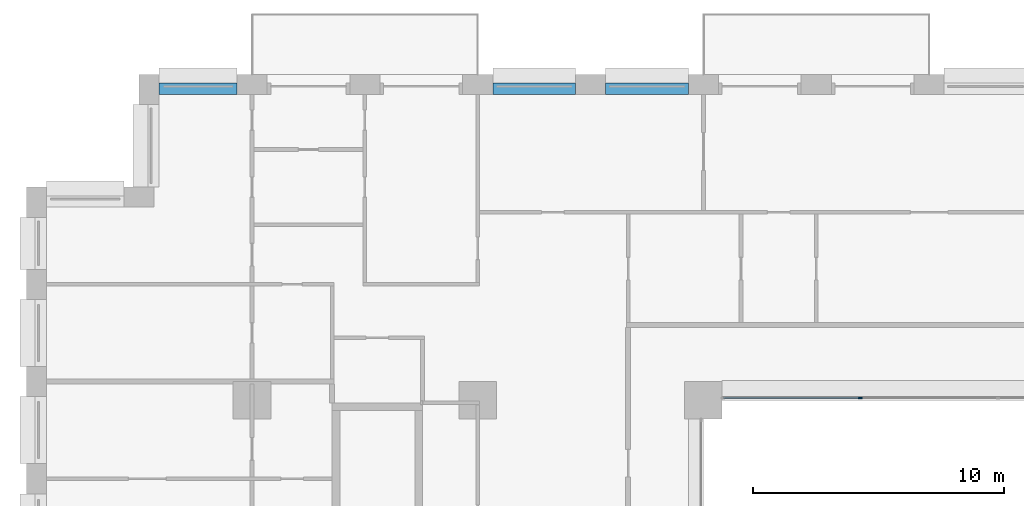
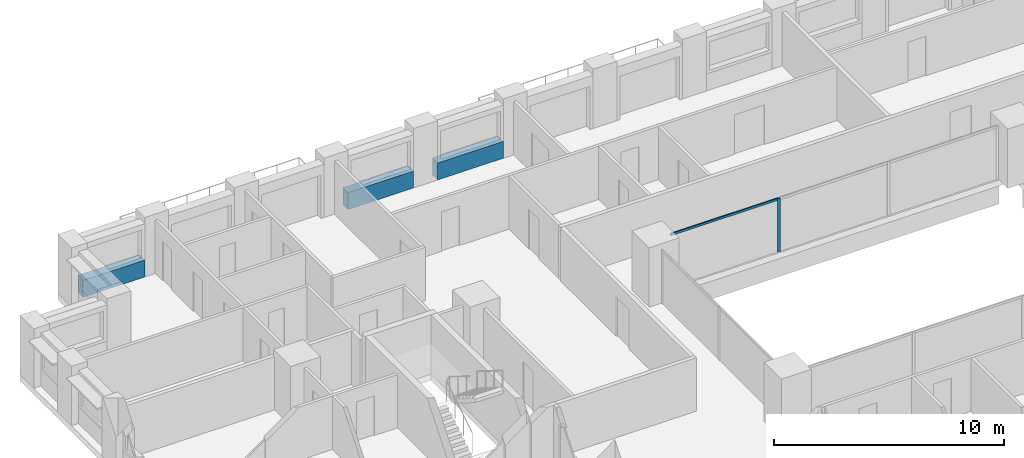
# One storey, part 6 of 20: 3 beams, 2 members, 1 element without a shape of its own.
"""IFC4 building model written with IfcOpenShell, lengths in metres."""

from ifc_helpers import new_model, si_unit, direction, frame, origin, origin_2d, place, context, subcontext, project, spatial, rectangle, extrude, material, layer, layer_set, material_profile, profile_set, type_object, element, aggregate, save


model = new_model("IFC4")

# Units and contexts
model_context = context("Model", 3, precision=1e-05, world=origin(), true_north=direction((0.0, 1.0)))
body_context = subcontext(model_context, "Body", "Model", "MODEL_VIEW")
ifc_project = project(units=[si_unit("LENGTHUNIT", "METRE"), si_unit("AREAUNIT", "SQUARE_METRE"), si_unit("VOLUMEUNIT", "CUBIC_METRE"), si_unit("PLANEANGLEUNIT", "RADIAN"), si_unit("MASSUNIT", "GRAM", prefix="KILO")], contexts=[model_context])

# Site, building, storey
site_placement = place(None, origin())
site = spatial("IfcSite", under=ifc_project, at=site_placement, CompositionType="ELEMENT")
building_placement = place(site_placement, origin())
building = spatial("IfcBuilding", under=site, at=building_placement, Name="Brigalow Station Residences", CompositionType="ELEMENT")
storey_placement = place(building_placement, frame((0.0, 0.0, 63.60009765625)))
storey = spatial("IfcBuildingStorey", under=building, at=storey_placement, Name="L18", CompositionType="ELEMENT", Elevation=63.60009765625)

# Curtain wall, members
ifc_material_1 = material(Name="Aluminium", Category="aluminium")
ifc_layer = layer(ifc_material_1, 0.14990234375)
ifc_layer_set = layer_set([ifc_layer], Name="ATRIUM FIRE-RATED GLAZING CURTAIN WALL")
curtain_wall_type = type_object("IfcCurtainWallType", Name="ATRIUM FIRE-RATED GLAZING CURTAIN WALL", PredefinedType="NOTDEFINED", material=ifc_layer_set)
curtain_wall_placement = place(storey_placement, origin())
curtain_wall = element("IfcCurtainWall", 1, at=curtain_wall_placement, inside=storey, type_object=curtain_wall_type, Name="L18/cw/atrium-N", PredefinedType="NOTDEFINED")
ifc_material_2 = material(Name="Aluminium", Category="aluminium")
ifc_material_profile_1 = material_profile(ifc_material_2, rectangle(XDim=0.06005859375, YDim=0.14990234375, at=origin_2d()), Name="ATRIUM FIRE-RATED GLAZING MULLION 60x150")
ifc_profile_set_1 = profile_set([ifc_material_profile_1], Name="Aluminium")
member_type_1 = type_object("IfcMemberType", Name="ATRIUM FIRE-RATED GLAZING MULLION 60x150", PredefinedType="MULLION", material=ifc_profile_set_1)
member_1_placement = place(storey_placement, frame((33.25, 35.60009765625, 0.0), z_axis=(0.0, 0.0, 1.0), x_axis=(0.0, -1.0, 0.0)))
member_1 = element("IfcMember", 2, at=member_1_placement, type_object=member_type_1, Name="L18/cw/atrium-N/M02", PredefinedType="MULLION", context=body_context, shape_type="SweptSolid", body=[
    extrude(rectangle(XDim=0.06005859375, YDim=0.14990234375, at=origin_2d()), origin(), (0.0, 0.0, 1.0), 2.829833984375),
])
ifc_material_3 = material(Name="Aluminium", Category="aluminium")
ifc_material_profile_2 = material_profile(ifc_material_3, rectangle(XDim=0.06005859375, YDim=0.1201171875, at=origin_2d()), Name="ATRIUM FIRE-RATED GLAZING TRANSOM 60x120")
ifc_profile_set_2 = profile_set([ifc_material_profile_2], Name="Aluminium")
member_type_2 = type_object("IfcMemberType", Name="ATRIUM FIRE-RATED GLAZING TRANSOM 60x120", PredefinedType="USERDEFINED", material=ifc_profile_set_2)
member_2_placement = place(storey_placement, frame((33.219970703125, 35.60009765625, 2.7998046875), z_axis=(-1.0, 0.0, 0.0), x_axis=(0.0, -1.0, 0.0)))
member_2 = element("IfcMember", 3, at=member_2_placement, type_object=member_type_2, Name="L18/cw/atrium-N/T02-00", ObjectType="TRANSOM", PredefinedType="USERDEFINED", context=body_context, shape_type="SweptSolid", body=[
    extrude(rectangle(XDim=0.06005859375, YDim=0.1201171875, at=origin_2d()), origin(), (0.0, 0.0, 1.0), 5.409912109375),
])
aggregate(curtain_wall, [member_1, member_2])

# Beams
ifc_material_4 = material(Name="Concrete C65", Category="concrete")
ifc_material_profile_3 = material_profile(ifc_material_4, rectangle(XDim=0.449951171875, YDim=0.89990234375, at=origin_2d()), Name="RC450x900")
ifc_profile_set_3 = profile_set([ifc_material_profile_3], Name="Concrete C65")
beam_type = type_object("IfcBeamType", Name="SPANDREL BEAM 450x900 C65", PredefinedType="SPANDREL", material=ifc_profile_set_3)
for number, where, z_axis, x_axis, name in (
    (4, (26.39990234375, 47.925048828125, 0.449951171875), (-1.0, 0.0, 0.0), (0.0, -1.0, 0.0), "L18/spandrel/W-L18-35"),
    (5, (21.89990234375, 47.925048828125, 0.449951171875), (-1.0, 0.0, 0.0), (0.0, -1.0, 0.0), "L18/spandrel/W-L18-36"),
):
    element("IfcBeam", number, at=place(storey_placement, frame(where, z_axis=z_axis, x_axis=x_axis)), inside=storey, type_object=beam_type, Name=name, PredefinedType="SPANDREL", context=body_context, shape_type="SweptSolid", body=[
        extrude(rectangle(XDim=0.449951171875, YDim=0.89990234375, at=origin_2d()), origin(), (0.0, 0.0, 1.0), 3.2998046875),
    ])
beam_placement = place(storey_placement, frame((8.39990234375, 47.925048828125, 0.449951171875), z_axis=(-1.0, 0.0, 0.0), x_axis=(0.0, -1.0, 0.0)))
element("IfcBeam", 6, at=beam_placement, inside=storey, type_object=beam_type, Name="L18/spandrel/W-L18-39", PredefinedType="SPANDREL", context=body_context, shape_type="SweptSolid", body=[
    extrude(rectangle(XDim=0.449951171875, YDim=0.89990234375, at=origin_2d()), origin(), (0.0, 0.0, 1.0), 3.099853515625),
])

save(model, "model.ifc")
